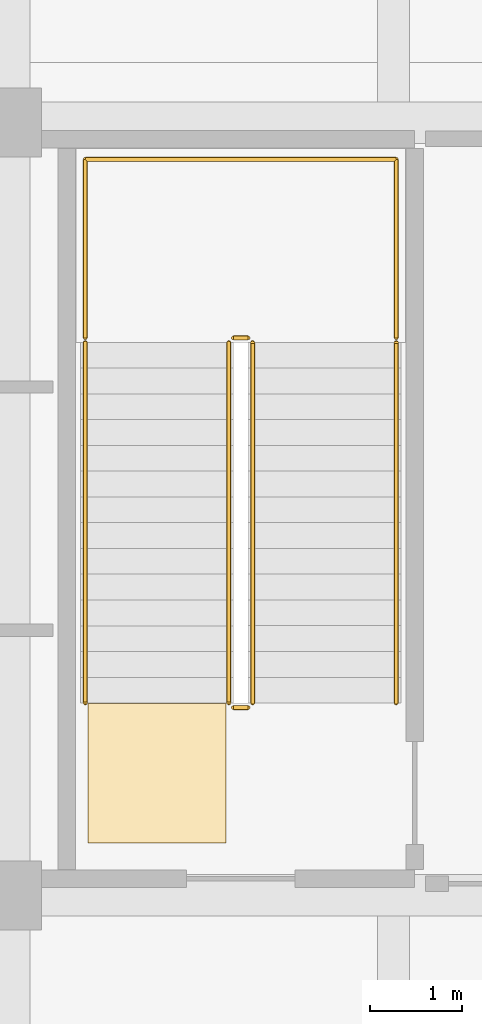
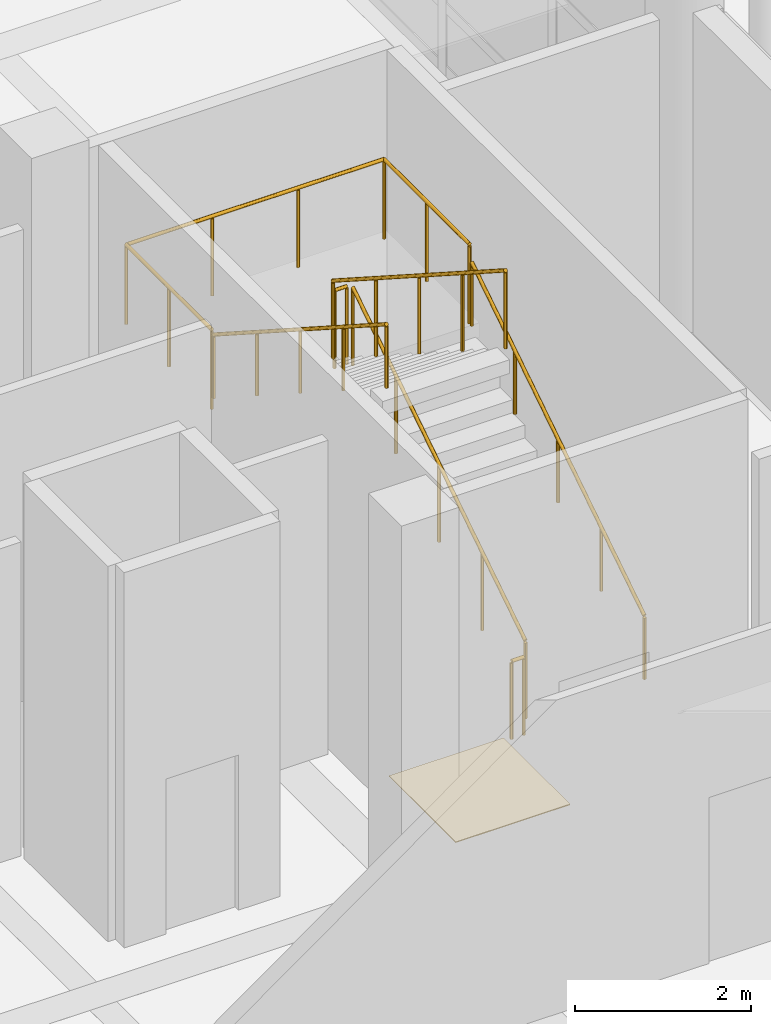
# One storey, part 97 of 140: 7 railings, 1 covering.
"""IFC4 building model written with IfcOpenShell, lengths in metres."""

from ifc_helpers import new_model, si_unit, direction, frame, origin, origin_2d, place, context, subcontext, project, spatial, polyline, circle, outline, extrude, material, layer, layer_set, type_object, element, save


model = new_model("IFC4")

# Units and contexts
model_context = context("Model", 3, precision=1e-05, world=origin(), true_north=direction((0.0, 1.0)))
body_context = subcontext(model_context, "Body", "Model", "MODEL_VIEW")
ifc_project = project(units=[si_unit("LENGTHUNIT", "METRE"), si_unit("AREAUNIT", "SQUARE_METRE"), si_unit("VOLUMEUNIT", "CUBIC_METRE"), si_unit("PLANEANGLEUNIT", "RADIAN"), si_unit("MASSUNIT", "GRAM", prefix="KILO")], contexts=[model_context])

# Site, building, storey
site_placement = place(None, origin())
site = spatial("IfcSite", under=ifc_project, at=site_placement, CompositionType="ELEMENT")
building_placement = place(site_placement, origin())
building = spatial("IfcBuilding", under=site, at=building_placement, Name="Telukmera Botanical Conservatory", CompositionType="ELEMENT")
storey_placement = place(building_placement, origin())
storey = spatial("IfcBuildingStorey", under=building, at=storey_placement, Name="L00", CompositionType="ELEMENT", Elevation=0.0)

# Covering
ifc_material_1 = material(Name="Honed granite non-slip flooring", Category="masonry")
ifc_layer = layer(ifc_material_1, 0.011962890625)
ifc_layer_set = layer_set([ifc_layer], Name="Honed granite non-slip flooring")
covering_type = type_object("IfcCoveringType", Name="COV-FLR-12", PredefinedType="FLOORING", material=ifc_layer_set)
covering_placement = place(storey_placement, origin())
element("IfcCovering", 1, at=covering_placement, inside=storey, type_object=covering_type, Name="L00 ST3 Non-Slip Stair Landing Finish", PredefinedType="FLOORING", context=body_context, shape_type="SweptSolid", body=[
    extrude(outline(polyline([(35.97998046875, 26.570068359375), (35.97998046875, 28.0849609375), (34.47998046875, 28.0849609375), (34.47998046875, 26.570068359375), (35.97998046875, 26.570068359375)])), origin(), (0.0, 0.0, 1.0), 0.011962890625),
])

# Railings
ifc_material_2 = material(Name="Steel S355", Category="steel")
railing_type_1 = type_object("IfcRailingType", Name="RL-GUARD-1100", PredefinedType="GUARDRAIL", material=ifc_material_2)
railing_1_placement = place(storey_placement, frame((36.27001953125, 28.090087890625, 0.179931640625)))
element("IfcRailing", 2, at=railing_1_placement, inside=storey, type_object=railing_type_1, Name="L00 ST3 stair guard 1", PredefinedType="GUARDRAIL", context=body_context, shape_type="SweptSolid", body=[
    extrude(circle(Radius=0.02392578125, at=origin_2d()), frame((0.0, 0.0, 1.076171875), z_axis=(0.0, 0.841171666519, 0.540768182723), x_axis=(-1.0, 0.0, 0.0)), (0.0, 0.0, 1.0), 4.66015625),
    extrude(circle(Radius=0.02099609375, at=origin_2d()), origin(), (0.0, 0.0, 1.0), 1.052001953125),
    extrude(circle(Radius=0.02099609375, at=origin_2d()), frame((0.0, 0.97998046875, 0.6298828125)), (0.0, 0.0, 1.0), 1.052001953125),
    extrude(circle(Radius=0.02099609375, at=origin_2d()), frame((0.0, 1.9599609375, 1.260009765625)), (0.0, 0.0, 1.0), 1.052001953125),
    extrude(circle(Radius=0.02099609375, at=origin_2d()), frame((0.0, 2.93994140625, 1.89013671875)), (0.0, 0.0, 1.0), 1.052001953125),
    extrude(circle(Radius=0.02099609375, at=origin_2d()), frame((0.0, 3.919921875, 2.52001953125)), (0.0, 0.0, 1.0), 1.052001953125),
])
railing_2_placement = place(storey_placement, frame((36.219970703125, 32.06005859375, 2.699951171875)))
element("IfcRailing", 3, at=railing_2_placement, inside=storey, type_object=railing_type_1, Name="L00 ST3 stair guard 2", PredefinedType="GUARDRAIL", context=body_context, shape_type="SweptSolid", body=[
    extrude(circle(Radius=0.02392578125, at=origin_2d()), frame((0.0, 0.0, 1.076171875), z_axis=(-1.0, 0.0, 0.0), x_axis=(0.0, -1.0, 0.0)), (0.0, 0.0, 1.0), 0.159912109375),
    extrude(circle(Radius=0.02099609375, at=origin_2d()), origin(), (0.0, 0.0, 1.0), 1.052001953125),
    extrude(circle(Radius=0.02099609375, at=origin_2d()), frame((-0.159912109375, 0.0, 0.0)), (0.0, 0.0, 1.0), 1.052001953125),
])
railing_3_placement = place(storey_placement, frame((36.010009765625, 32.010009765625, 2.8798828125)))
element("IfcRailing", 4, at=railing_3_placement, inside=storey, type_object=railing_type_1, Name="L00 ST3 stair guard 3", PredefinedType="GUARDRAIL", context=body_context, shape_type="SweptSolid", body=[
    extrude(circle(Radius=0.02392578125, at=origin_2d()), frame((0.0, 0.0, 1.076171875), z_axis=(0.0, -0.841171666519, 0.540768182723), x_axis=(1.0, 0.0, 0.0)), (0.0, 0.0, 1.0), 4.66015625),
    extrude(circle(Radius=0.02099609375, at=origin_2d()), origin(), (0.0, 0.0, 1.0), 1.052001953125),
    extrude(circle(Radius=0.02099609375, at=origin_2d()), frame((0.0, -0.97998046875, 0.6298828125)), (0.0, 0.0, 1.0), 1.052001953125),
    extrude(circle(Radius=0.02099609375, at=origin_2d()), frame((0.0, -1.9599609375, 1.260009765625)), (0.0, 0.0, 1.0), 1.052001953125),
    extrude(circle(Radius=0.02099609375, at=origin_2d()), frame((0.0, -2.93994140625, 1.89013671875)), (0.0, 0.0, 1.0), 1.052001953125),
    extrude(circle(Radius=0.02099609375, at=origin_2d()), frame((0.0, -3.919921875, 2.52001953125)), (0.0, 0.0, 1.0), 1.052001953125),
])
railing_4_placement = place(storey_placement, frame((36.219970703125, 28.0400390625, 0.0)))
element("IfcRailing", 5, at=railing_4_placement, inside=storey, type_object=railing_type_1, Name="L00 ST3 stair guard 4", PredefinedType="GUARDRAIL", context=body_context, shape_type="SweptSolid", body=[
    extrude(circle(Radius=0.02392578125, at=origin_2d()), frame((0.0, 0.0, 1.076171875), z_axis=(-1.0, 0.0, 0.0), x_axis=(0.0, -1.0, 0.0)), (0.0, 0.0, 1.0), 0.159912109375),
    extrude(circle(Radius=0.02099609375, at=origin_2d()), origin(), (0.0, 0.0, 1.0), 1.052001953125),
    extrude(circle(Radius=0.02099609375, at=origin_2d()), frame((-0.159912109375, 0.0, 0.0)), (0.0, 0.0, 1.0), 1.052001953125),
])
railing_5_placement = place(storey_placement, frame((37.830078125, 32.06005859375, 2.699951171875)))
element("IfcRailing", 6, at=railing_5_placement, inside=storey, type_object=railing_type_1, Name="L00 ST3 half-landing perimeter guard 1", PredefinedType="GUARDRAIL", context=body_context, shape_type="SweptSolid", body=[
    extrude(circle(Radius=0.02392578125, at=origin_2d()), frame((0.0, 0.0, 1.09619140625), z_axis=(0.0, 1.0, 0.0), x_axis=(-1.0, 0.0, 0.0)), (0.0, 0.0, 1.0), 1.93994140625),
    extrude(circle(Radius=0.02392578125, at=origin_2d()), frame((0.0, 1.93994140625, 1.09619140625), z_axis=(-1.0, 0.0, 0.0), x_axis=(0.0, -1.0, 0.0)), (0.0, 0.0, 1.0), 3.380126953125),
    extrude(circle(Radius=0.02392578125, at=origin_2d()), frame((-3.380126953125, 1.93994140625, 1.09619140625), z_axis=(0.0, -1.0, 0.0), x_axis=(1.0, 0.0, 0.0)), (0.0, 0.0, 1.0), 1.93994140625),
    extrude(circle(Radius=0.02099609375, at=origin_2d()), origin(), (0.0, 0.0, 1.0), 1.072021484375),
    extrude(circle(Radius=0.02099609375, at=origin_2d()), frame((0.0, 0.969970703125, 0.0)), (0.0, 0.0, 1.0), 1.072021484375),
    extrude(circle(Radius=0.02099609375, at=origin_2d()), frame((0.0, 1.93994140625, 0.0)), (0.0, 0.0, 1.0), 1.072021484375),
    extrude(circle(Radius=0.02099609375, at=origin_2d()), frame((-1.126708984375, 1.93994140625, 0.0)), (0.0, 0.0, 1.0), 1.072021484375),
    extrude(circle(Radius=0.02099609375, at=origin_2d()), frame((-2.25341796875, 1.93994140625, 0.0)), (0.0, 0.0, 1.0), 1.072021484375),
    extrude(circle(Radius=0.02099609375, at=origin_2d()), frame((-3.380126953125, 1.93994140625, 0.0)), (0.0, 0.0, 1.0), 1.072021484375),
    extrude(circle(Radius=0.02099609375, at=origin_2d()), frame((-3.380126953125, 0.969970703125, 0.0)), (0.0, 0.0, 1.0), 1.072021484375),
    extrude(circle(Radius=0.02099609375, at=origin_2d()), frame((-3.380126953125, 0.0, 0.0)), (0.0, 0.0, 1.0), 1.072021484375),
])
ifc_material_3 = material(Name="Stainless steel 316", Category="steel")
railing_type_2 = type_object("IfcRailingType", Name="RL-HAND-900", PredefinedType="HANDRAIL", material=ifc_material_3)
railing_6_placement = place(storey_placement, frame((37.830078125, 28.090087890625, 0.179931640625)))
element("IfcRailing", 7, at=railing_6_placement, inside=storey, type_object=railing_type_2, Name="L00 ST3 stair handrail 1", PredefinedType="HANDRAIL", context=body_context, shape_type="SweptSolid", body=[
    extrude(circle(Radius=0.02392578125, at=origin_2d()), frame((0.0, 0.0, 0.8759765625), z_axis=(0.0, 0.841171666519, 0.540768182723), x_axis=(-1.0, 0.0, 0.0)), (0.0, 0.0, 1.0), 4.66015625),
    extrude(circle(Radius=0.02099609375, at=origin_2d()), origin(), (0.0, 0.0, 1.0), 0.851806640625),
    extrude(circle(Radius=0.02099609375, at=origin_2d()), frame((0.0, 0.97998046875, 0.6298828125)), (0.0, 0.0, 1.0), 0.851806640625),
    extrude(circle(Radius=0.02099609375, at=origin_2d()), frame((0.0, 1.9599609375, 1.260009765625)), (0.0, 0.0, 1.0), 0.851806640625),
    extrude(circle(Radius=0.02099609375, at=origin_2d()), frame((0.0, 2.93994140625, 1.89013671875)), (0.0, 0.0, 1.0), 0.851806640625),
    extrude(circle(Radius=0.02099609375, at=origin_2d()), frame((0.0, 3.919921875, 2.52001953125)), (0.0, 0.0, 1.0), 0.851806640625),
])
railing_7_placement = place(storey_placement, frame((34.449951171875, 32.010009765625, 2.8798828125)))
element("IfcRailing", 8, at=railing_7_placement, inside=storey, type_object=railing_type_2, Name="L00 ST3 stair handrail 2", PredefinedType="HANDRAIL", context=body_context, shape_type="SweptSolid", body=[
    extrude(circle(Radius=0.02392578125, at=origin_2d()), frame((0.0, 0.0, 0.8759765625), z_axis=(0.0, -0.841171666519, 0.540768182723), x_axis=(1.0, 0.0, 0.0)), (0.0, 0.0, 1.0), 4.66015625),
    extrude(circle(Radius=0.02099609375, at=origin_2d()), origin(), (0.0, 0.0, 1.0), 0.851806640625),
    extrude(circle(Radius=0.02099609375, at=origin_2d()), frame((0.0, -0.97998046875, 0.6298828125)), (0.0, 0.0, 1.0), 0.851806640625),
    extrude(circle(Radius=0.02099609375, at=origin_2d()), frame((0.0, -1.9599609375, 1.260009765625)), (0.0, 0.0, 1.0), 0.851806640625),
    extrude(circle(Radius=0.02099609375, at=origin_2d()), frame((0.0, -2.93994140625, 1.89013671875)), (0.0, 0.0, 1.0), 0.851806640625),
    extrude(circle(Radius=0.02099609375, at=origin_2d()), frame((0.0, -3.919921875, 2.52001953125)), (0.0, 0.0, 1.0), 0.851806640625),
])

save(model, "model.ifc")
